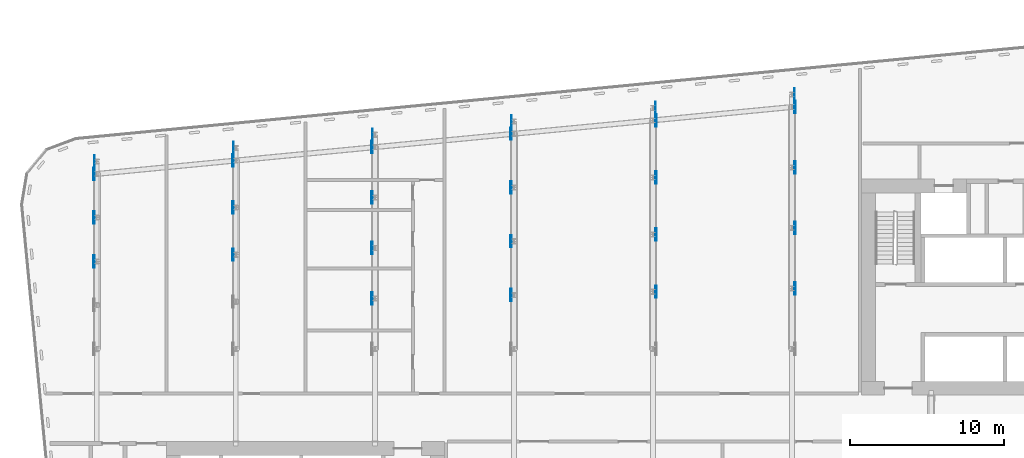
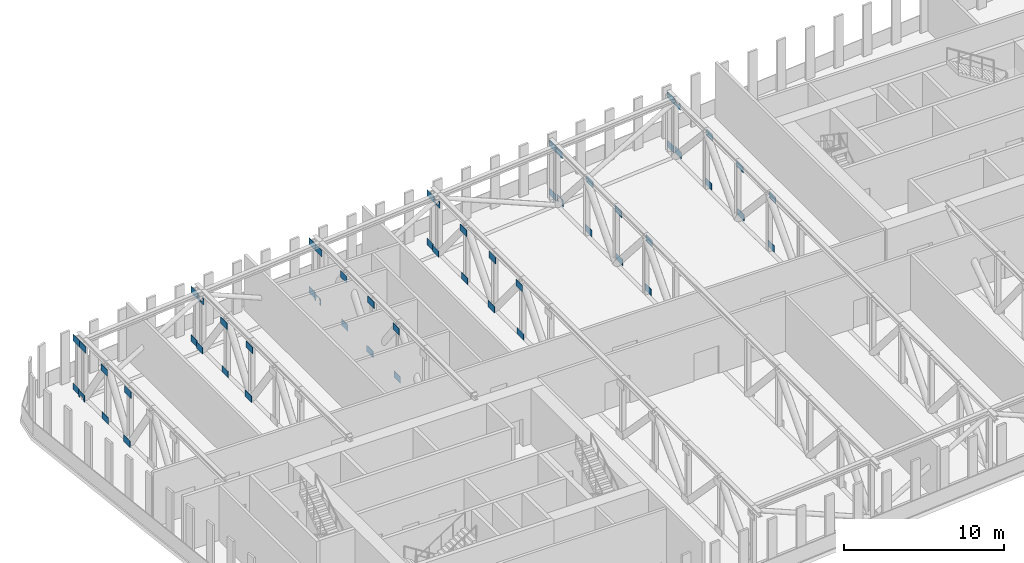
# One storey, part 14 of 22: 56 discrete accessories.
"""IFC4 building model written with IfcOpenShell, lengths in metres."""

from ifc_helpers import new_model, si_unit, direction, frame, origin, place, context, subcontext, project, spatial, polyline, outline, extrude, material, layer, layer_set, type_object, element, save


model = new_model("IFC4")

# Units and contexts
model_context = context("Model", 3, precision=1e-05, world=origin(), true_north=direction((0.0, 1.0)))
body_context = subcontext(model_context, "Body", "Model", "MODEL_VIEW")
ifc_project = project(units=[si_unit("LENGTHUNIT", "METRE"), si_unit("AREAUNIT", "SQUARE_METRE"), si_unit("VOLUMEUNIT", "CUBIC_METRE"), si_unit("PLANEANGLEUNIT", "RADIAN"), si_unit("MASSUNIT", "GRAM", prefix="KILO")], contexts=[model_context])

# Site, building, storey
site_placement = place(None, origin())
site = spatial("IfcSite", under=ifc_project, at=site_placement, CompositionType="ELEMENT")
building_placement = place(site_placement, origin())
building = spatial("IfcBuilding", under=site, at=building_placement, Name="Kajstack Hotel Tower", CompositionType="ELEMENT")
storey_placement = place(building_placement, frame((0.0, 0.0, 150.39990234375)))
storey = spatial("IfcBuildingStorey", under=building, at=storey_placement, Name="L35", CompositionType="ELEMENT", Elevation=150.39990234375)

# Discrete accessories
ifc_material = material(Name="Steel S355J2", Category="steel")
ifc_layer = layer(ifc_material, 0.02001953125)
ifc_layer_set = layer_set([ifc_layer], Name="GUSSET PLATE")
discrete_accessory_type = type_object("IfcDiscreteAccessoryType", Name="GUSSET PLATE", PredefinedType="BRACKET", material=ifc_layer_set)
for number, where, z_axis, x_axis, name in (
    (1, (-36.24853515625, 10.16162109375, 0.0), (1.0, 0.0, 0.0), (0.0, 1.0, 0.0), "Gusset plate L35-316"),
    (2, (-36.169921875, 10.16162109375, 3.7001953125), (1.0, 0.0, 0.0), (0.0, 1.0, 0.0), "Gusset plate L35-317"),
    (3, (-36.169921875, 12.9921875, 0.0), (1.0, 0.0, 0.0), (0.0, 1.0, 0.0), "Gusset plate L35-318"),
    (4, (-36.24853515625, 12.9921875, 3.7001953125), (1.0, 0.0, 0.0), (0.0, 1.0, 0.0), "Gusset plate L35-319"),
):
    element("IfcDiscreteAccessory", number, at=place(storey_placement, frame(where, z_axis=z_axis, x_axis=x_axis)), inside=storey, type_object=discrete_accessory_type, Name=name, PredefinedType="BRACKET", context=body_context, shape_type="SweptSolid", body=[
        extrude(outline(polyline([(-0.39990234375, 0.0), (0.39990234375, 0.0), (0.39990234375, 0.5), (-0.39990234375, 0.5), (-0.39990234375, 0.0)])), origin(), (0.0, 0.0, 1.0), 0.02001953125),
    ])
discrete_accessory_1_placement = place(storey_placement, frame((-36.24853515625, 15.822998046875, 0.0), z_axis=(1.0, 0.0, 0.0), x_axis=(0.0, 1.0, 0.0)))
element("IfcDiscreteAccessory", 5, at=discrete_accessory_1_placement, inside=storey, type_object=discrete_accessory_type, Name="Gusset plate L35-320", PredefinedType="BRACKET", context=body_context, shape_type="SweptSolid", body=[
    extrude(outline(polyline([(-0.39990234375, 0.0), (-0.243896484375, 0.0), (-0.23291015625, 0.0546875), (-0.22705078125, 0.077392578125), (-0.218994140625, 0.099365234375), (-0.208740234375, 0.12060546875), (-0.19677734375, 0.140625), (-0.1826171875, 0.159423828125), (-0.166748046875, 0.1767578125), (-0.149169921875, 0.1923828125), (-0.13037109375, 0.206298828125), (-0.110107421875, 0.21826171875), (-0.0888671875, 0.22802734375), (-0.06689453125, 0.23583984375), (-0.0439453125, 0.241455078125), (-0.020751953125, 0.244873046875), (0.002685546875, 0.245849609375), (0.026123046875, 0.24462890625), (0.04931640625, 0.240966796875), (0.072021484375, 0.235107421875), (0.093994140625, 0.22705078125), (0.115234375, 0.217041015625), (0.13525390625, 0.204833984375), (0.154052734375, 0.190673828125), (0.17138671875, 0.175048828125), (0.18701171875, 0.157470703125), (0.200927734375, 0.138671875), (0.212890625, 0.118408203125), (0.22265625, 0.09716796875), (0.23046875, 0.074951171875), (0.236083984375, 0.05224609375), (0.239501953125, 0.029052734375), (0.240234375, 0.0), (0.39990234375, 0.0), (0.39990234375, 0.5), (-0.39990234375, 0.5), (-0.39990234375, 0.0)])), origin(), (0.0, 0.0, 1.0), 0.02001953125),
])
for number, where, z_axis, x_axis, name in (
    (6, (-36.169921875, 15.822998046875, 3.7001953125), (1.0, 0.0, 0.0), (0.0, 1.0, 0.0), "Gusset plate L35-321"),
    (7, (-36.169921875, 16.623046875, 0.0), (1.0, 0.0, 0.0), (0.0, 1.0, 0.0), "Gusset plate L35-322"),
    (8, (-36.169921875, 16.623046875, 3.7001953125), (1.0, 0.0, 0.0), (0.0, 1.0, 0.0), "Gusset plate L35-323"),
    (9, (-27.24853515625, 10.5947265625, 0.0), (1.0, 0.0, 0.0), (0.0, 1.0, 0.0), "Gusset plate L35-328"),
    (10, (-27.169921875, 10.5947265625, 3.7001953125), (1.0, 0.0, 0.0), (0.0, 1.0, 0.0), "Gusset plate L35-329"),
    (11, (-27.169921875, 13.642333984375, 0.0), (1.0, 0.0, 0.0), (0.0, 1.0, 0.0), "Gusset plate L35-330"),
    (12, (-27.24853515625, 13.642333984375, 3.7001953125), (1.0, 0.0, 0.0), (0.0, 1.0, 0.0), "Gusset plate L35-331"),
    (13, (-27.24853515625, 16.689697265625, 0.0), (1.0, 0.0, 0.0), (0.0, 1.0, 0.0), "Gusset plate L35-332"),
):
    element("IfcDiscreteAccessory", number, at=place(storey_placement, frame(where, z_axis=z_axis, x_axis=x_axis)), inside=storey, type_object=discrete_accessory_type, Name=name, PredefinedType="BRACKET", context=body_context, shape_type="SweptSolid", body=[
        extrude(outline(polyline([(-0.39990234375, 0.0), (0.39990234375, 0.0), (0.39990234375, 0.5), (-0.39990234375, 0.5), (-0.39990234375, 0.0)])), origin(), (0.0, 0.0, 1.0), 0.02001953125),
    ])
discrete_accessory_2_placement = place(storey_placement, frame((-27.169921875, 16.689697265625, 3.7001953125), z_axis=(1.0, 0.0, 0.0), x_axis=(0.0, 1.0, 0.0)))
element("IfcDiscreteAccessory", 14, at=discrete_accessory_2_placement, inside=storey, type_object=discrete_accessory_type, Name="Gusset plate L35-333", PredefinedType="BRACKET", context=body_context, shape_type="SweptSolid", body=[
    extrude(outline(polyline([(0.39990234375, 0.5), (0.247802734375, 0.5), (0.2470703125, 0.47412109375), (0.24365234375, 0.450927734375), (0.238037109375, 0.427978515625), (0.230224609375, 0.406005859375), (0.220458984375, 0.384765625), (0.2080078125, 0.364013671875), (0.1943359375, 0.297607421875), (0.188720703125, 0.27490234375), (0.1806640625, 0.2529296875), (0.17041015625, 0.231689453125), (0.158203125, 0.211669921875), (0.144287109375, 0.19287109375), (0.12841796875, 0.175537109375), (0.11083984375, 0.159912109375), (0.092041015625, 0.14599609375), (0.07177734375, 0.134033203125), (0.050537109375, 0.1240234375), (0.0283203125, 0.116455078125), (0.005615234375, 0.11083984375), (-0.017578125, 0.107421875), (-0.041015625, 0.1064453125), (-0.064453125, 0.107666015625), (-0.087646484375, 0.111328125), (-0.1103515625, 0.1171875), (-0.13232421875, 0.125), (-0.153564453125, 0.13525390625), (-0.173583984375, 0.1474609375), (-0.1923828125, 0.161376953125), (-0.209716796875, 0.17724609375), (-0.225341796875, 0.19482421875), (-0.2392578125, 0.213623046875), (-0.251220703125, 0.23388671875), (-0.260986328125, 0.255126953125), (-0.268798828125, 0.27734375), (-0.2744140625, 0.300048828125), (-0.27783203125, 0.3232421875), (-0.27880859375, 0.3466796875), (-0.277587890625, 0.3701171875), (-0.27392578125, 0.393310546875), (-0.252197265625, 0.5), (-0.39990234375, 0.5), (-0.39990234375, 0.0), (0.39990234375, 0.0), (0.39990234375, 0.5)])), origin(), (0.0, 0.0, 1.0), 0.02001953125),
])
for number, where, z_axis, x_axis, name in (
    (15, (-27.169921875, 17.48974609375, 0.0), (1.0, 0.0, 0.0), (0.0, 1.0, 0.0), "Gusset plate L35-334"),
    (16, (-27.169921875, 17.48974609375, 3.7001953125), (1.0, 0.0, 0.0), (0.0, 1.0, 0.0), "Gusset plate L35-335"),
    (17, (-18.169921875, 7.76416015625, 0.0), (1.0, 0.0, 0.0), (0.0, 1.0, 0.0), "Gusset plate L35-338"),
    (18, (-18.24853515625, 7.76416015625, 3.7001953125), (1.0, 0.0, 0.0), (0.0, 1.0, 0.0), "Gusset plate L35-339"),
    (19, (-18.24853515625, 11.0283203125, 0.0), (1.0, 0.0, 0.0), (0.0, 1.0, 0.0), "Gusset plate L35-340"),
    (20, (-18.169921875, 11.0283203125, 3.7001953125), (1.0, 0.0, 0.0), (0.0, 1.0, 0.0), "Gusset plate L35-341"),
    (21, (-18.169921875, 14.292236328125, 0.0), (1.0, 0.0, 0.0), (0.0, 1.0, 0.0), "Gusset plate L35-342"),
    (22, (-18.24853515625, 14.292236328125, 3.7001953125), (1.0, 0.0, 0.0), (0.0, 1.0, 0.0), "Gusset plate L35-343"),
):
    element("IfcDiscreteAccessory", number, at=place(storey_placement, frame(where, z_axis=z_axis, x_axis=x_axis)), inside=storey, type_object=discrete_accessory_type, Name=name, PredefinedType="BRACKET", context=body_context, shape_type="SweptSolid", body=[
        extrude(outline(polyline([(-0.39990234375, 0.0), (0.39990234375, 0.0), (0.39990234375, 0.5), (-0.39990234375, 0.5), (-0.39990234375, 0.0)])), origin(), (0.0, 0.0, 1.0), 0.02001953125),
    ])
discrete_accessory_3_placement = place(storey_placement, frame((-18.24853515625, 17.556396484375, 0.0), z_axis=(1.0, 0.0, 0.0), x_axis=(0.0, 1.0, 0.0)))
element("IfcDiscreteAccessory", 23, at=discrete_accessory_3_placement, inside=storey, type_object=discrete_accessory_type, Name="Gusset plate L35-344", PredefinedType="BRACKET", context=body_context, shape_type="SweptSolid", body=[
    extrude(outline(polyline([(-0.39990234375, 0.0), (-0.243896484375, 0.0), (-0.281494140625, 0.18359375), (-0.28515625, 0.206787109375), (-0.286376953125, 0.230224609375), (-0.285400390625, 0.253662109375), (-0.281982421875, 0.27685546875), (-0.2763671875, 0.2998046875), (-0.2685546875, 0.32177734375), (-0.2587890625, 0.343017578125), (-0.246826171875, 0.36328125), (-0.23291015625, 0.382080078125), (-0.21728515625, 0.399658203125), (-0.199951171875, 0.41552734375), (-0.18115234375, 0.4296875), (-0.1611328125, 0.441650390625), (-0.139892578125, 0.451904296875), (-0.117919921875, 0.4599609375), (-0.09521484375, 0.4658203125), (-0.072021484375, 0.46923828125), (-0.048583984375, 0.470458984375), (-0.025146484375, 0.469482421875), (-0.001953125, 0.46630859375), (0.020751953125, 0.460693359375), (0.04296875, 0.452880859375), (0.064208984375, 0.44287109375), (0.08447265625, 0.430908203125), (0.103271484375, 0.4169921875), (0.120849609375, 0.4013671875), (0.13671875, 0.384033203125), (0.150634765625, 0.365478515625), (0.162841796875, 0.34521484375), (0.173095703125, 0.32421875), (0.18115234375, 0.302001953125), (0.186767578125, 0.279296875), (0.22607421875, 0.08740234375), (0.236083984375, 0.05224609375), (0.239501953125, 0.029052734375), (0.240234375, 0.0), (0.39990234375, 0.0), (0.39990234375, 0.5), (-0.39990234375, 0.5), (-0.39990234375, 0.0)])), origin(), (0.0, 0.0, 1.0), 0.02001953125),
])
for number, where, z_axis, x_axis, name in (
    (24, (-18.169921875, 17.556396484375, 3.7001953125), (1.0, 0.0, 0.0), (0.0, 1.0, 0.0), "Gusset plate L35-345"),
    (25, (-18.169921875, 18.356201171875, 0.0), (1.0, 0.0, 0.0), (0.0, 1.0, 0.0), "Gusset plate L35-346"),
    (26, (-18.169921875, 18.356201171875, 3.7001953125), (1.0, 0.0, 0.0), (0.0, 1.0, 0.0), "Gusset plate L35-347"),
    (27, (-9.169921875, 7.980712890625, 0.0), (1.0, 0.0, 0.0), (0.0, 1.0, 0.0), "Gusset plate L35-360"),
    (28, (-9.24853515625, 7.980712890625, 3.7001953125), (1.0, 0.0, 0.0), (0.0, 1.0, 0.0), "Gusset plate L35-361"),
    (29, (-9.24853515625, 11.46142578125, 0.0), (1.0, 0.0, 0.0), (0.0, 1.0, 0.0), "Gusset plate L35-362"),
    (30, (-9.169921875, 11.46142578125, 3.7001953125), (1.0, 0.0, 0.0), (0.0, 1.0, 0.0), "Gusset plate L35-363"),
    (31, (-9.169921875, 14.942138671875, 0.0), (1.0, 0.0, 0.0), (0.0, 1.0, 0.0), "Gusset plate L35-364"),
    (32, (-9.24853515625, 14.942138671875, 3.7001953125), (1.0, 0.0, 0.0), (0.0, 1.0, 0.0), "Gusset plate L35-365"),
    (33, (-9.24853515625, 18.4228515625, 0.0), (1.0, 0.0, 0.0), (0.0, 1.0, 0.0), "Gusset plate L35-366"),
):
    element("IfcDiscreteAccessory", number, at=place(storey_placement, frame(where, z_axis=z_axis, x_axis=x_axis)), inside=storey, type_object=discrete_accessory_type, Name=name, PredefinedType="BRACKET", context=body_context, shape_type="SweptSolid", body=[
        extrude(outline(polyline([(-0.39990234375, 0.0), (0.39990234375, 0.0), (0.39990234375, 0.5), (-0.39990234375, 0.5), (-0.39990234375, 0.0)])), origin(), (0.0, 0.0, 1.0), 0.02001953125),
    ])
discrete_accessory_4_placement = place(storey_placement, frame((-9.169921875, 18.4228515625, 3.7001953125), z_axis=(1.0, 0.0, 0.0), x_axis=(0.0, 1.0, 0.0)))
element("IfcDiscreteAccessory", 34, at=discrete_accessory_4_placement, inside=storey, type_object=discrete_accessory_type, Name="Gusset plate L35-367", PredefinedType="BRACKET", context=body_context, shape_type="SweptSolid", body=[
    extrude(outline(polyline([(0.39990234375, 0.5), (0.247802734375, 0.5), (0.2470703125, 0.47412109375), (0.24365234375, 0.450927734375), (0.238037109375, 0.427978515625), (0.230224609375, 0.406005859375), (0.220458984375, 0.384765625), (0.2080078125, 0.364013671875), (0.1943359375, 0.297607421875), (0.188720703125, 0.27490234375), (0.1806640625, 0.2529296875), (0.17041015625, 0.231689453125), (0.158203125, 0.211669921875), (0.144287109375, 0.19287109375), (0.12841796875, 0.175537109375), (0.11083984375, 0.159912109375), (0.092041015625, 0.14599609375), (0.07177734375, 0.134033203125), (0.050537109375, 0.1240234375), (0.0283203125, 0.116455078125), (0.005615234375, 0.11083984375), (-0.017578125, 0.107421875), (-0.041015625, 0.1064453125), (-0.064453125, 0.107666015625), (-0.087646484375, 0.111328125), (-0.1103515625, 0.1171875), (-0.13232421875, 0.125), (-0.153564453125, 0.13525390625), (-0.173583984375, 0.1474609375), (-0.1923828125, 0.161376953125), (-0.209716796875, 0.17724609375), (-0.225341796875, 0.19482421875), (-0.2392578125, 0.213623046875), (-0.251220703125, 0.23388671875), (-0.260986328125, 0.255126953125), (-0.268798828125, 0.27734375), (-0.2744140625, 0.300048828125), (-0.27783203125, 0.3232421875), (-0.27880859375, 0.3466796875), (-0.277587890625, 0.3701171875), (-0.27392578125, 0.393310546875), (-0.252197265625, 0.5), (-0.39990234375, 0.5), (-0.39990234375, 0.0), (0.39990234375, 0.0), (0.39990234375, 0.5)])), origin(), (0.0, 0.0, 1.0), 0.02001953125),
])
for number, where, z_axis, x_axis, name in (
    (35, (-9.169921875, 19.222900390625, 0.0), (1.0, 0.0, 0.0), (0.0, 1.0, 0.0), "Gusset plate L35-368"),
    (36, (-9.169921875, 19.222900390625, 3.7001953125), (1.0, 0.0, 0.0), (0.0, 1.0, 0.0), "Gusset plate L35-369"),
    (37, (0.14990234375, 8.197509765625, 0.0), (1.0, 0.0, 0.0), (0.0, 1.0, 0.0), "Gusset plate L35-382"),
    (38, (0.228515625, 8.197509765625, 3.7001953125), (1.0, 0.0, 0.0), (0.0, 1.0, 0.0), "Gusset plate L35-383"),
    (39, (0.228515625, 11.894775390625, 0.0), (1.0, 0.0, 0.0), (0.0, 1.0, 0.0), "Gusset plate L35-384"),
    (40, (0.14990234375, 11.894775390625, 3.7001953125), (1.0, 0.0, 0.0), (0.0, 1.0, 0.0), "Gusset plate L35-385"),
    (41, (0.14990234375, 15.592041015625, 0.0), (1.0, 0.0, 0.0), (0.0, 1.0, 0.0), "Gusset plate L35-386"),
    (42, (0.228515625, 15.592041015625, 3.7001953125), (1.0, 0.0, 0.0), (0.0, 1.0, 0.0), "Gusset plate L35-387"),
):
    element("IfcDiscreteAccessory", number, at=place(storey_placement, frame(where, z_axis=z_axis, x_axis=x_axis)), inside=storey, type_object=discrete_accessory_type, Name=name, PredefinedType="BRACKET", context=body_context, shape_type="SweptSolid", body=[
        extrude(outline(polyline([(-0.39990234375, 0.0), (0.39990234375, 0.0), (0.39990234375, 0.5), (-0.39990234375, 0.5), (-0.39990234375, 0.0)])), origin(), (0.0, 0.0, 1.0), 0.02001953125),
    ])
discrete_accessory_5_placement = place(storey_placement, frame((0.228515625, 19.28955078125, 0.0), z_axis=(1.0, 0.0, 0.0), x_axis=(0.0, 1.0, 0.0)))
element("IfcDiscreteAccessory", 43, at=discrete_accessory_5_placement, inside=storey, type_object=discrete_accessory_type, Name="Gusset plate L35-388", PredefinedType="BRACKET", context=body_context, shape_type="SweptSolid", body=[
    extrude(outline(polyline([(-0.39990234375, 0.0), (-0.240234375, 0.0), (-0.239501953125, 0.029052734375), (-0.236083984375, 0.05224609375), (-0.22607421875, 0.08740234375), (-0.186767578125, 0.279296875), (-0.18115234375, 0.302001953125), (-0.173095703125, 0.32421875), (-0.162841796875, 0.34521484375), (-0.150634765625, 0.365478515625), (-0.13671875, 0.384033203125), (-0.120849609375, 0.4013671875), (-0.103271484375, 0.4169921875), (-0.08447265625, 0.430908203125), (-0.064208984375, 0.44287109375), (-0.04296875, 0.452880859375), (-0.020751953125, 0.460693359375), (0.001953125, 0.46630859375), (0.025146484375, 0.469482421875), (0.048583984375, 0.470458984375), (0.072021484375, 0.46923828125), (0.09521484375, 0.4658203125), (0.117919921875, 0.4599609375), (0.139892578125, 0.451904296875), (0.1611328125, 0.441650390625), (0.18115234375, 0.4296875), (0.199951171875, 0.41552734375), (0.21728515625, 0.399658203125), (0.23291015625, 0.382080078125), (0.246826171875, 0.36328125), (0.2587890625, 0.343017578125), (0.2685546875, 0.32177734375), (0.2763671875, 0.2998046875), (0.281982421875, 0.27685546875), (0.285400390625, 0.253662109375), (0.286376953125, 0.230224609375), (0.28515625, 0.206787109375), (0.281494140625, 0.18359375), (0.243896484375, 0.0), (0.39990234375, 0.0), (0.39990234375, 0.5), (-0.39990234375, 0.5), (-0.39990234375, 0.0)])), origin(), (0.0, 0.0, 1.0), 0.02001953125),
])
for number, where, z_axis, x_axis, name in (
    (44, (0.14990234375, 19.28955078125, 3.7001953125), (1.0, 0.0, 0.0), (0.0, 1.0, 0.0), "Gusset plate L35-389"),
    (45, (0.14990234375, 20.089599609375, 0.0), (1.0, 0.0, 0.0), (0.0, 1.0, 0.0), "Gusset plate L35-390"),
    (46, (0.14990234375, 20.089599609375, 3.7001953125), (1.0, 0.0, 0.0), (0.0, 1.0, 0.0), "Gusset plate L35-391"),
    (47, (9.14990234375, 8.4140625, 0.0), (1.0, 0.0, 0.0), (0.0, 1.0, 0.0), "Gusset plate L35-404"),
    (48, (9.228515625, 8.4140625, 3.7001953125), (1.0, 0.0, 0.0), (0.0, 1.0, 0.0), "Gusset plate L35-405"),
    (49, (9.228515625, 12.327880859375, 0.0), (1.0, 0.0, 0.0), (0.0, 1.0, 0.0), "Gusset plate L35-406"),
    (50, (9.14990234375, 12.327880859375, 3.7001953125), (1.0, 0.0, 0.0), (0.0, 1.0, 0.0), "Gusset plate L35-407"),
    (51, (9.14990234375, 16.2421875, 0.0), (1.0, 0.0, 0.0), (0.0, 1.0, 0.0), "Gusset plate L35-408"),
    (52, (9.228515625, 16.2421875, 3.7001953125), (1.0, 0.0, 0.0), (0.0, 1.0, 0.0), "Gusset plate L35-409"),
    (53, (9.228515625, 20.156005859375, 0.0), (1.0, 0.0, 0.0), (0.0, 1.0, 0.0), "Gusset plate L35-410"),
):
    element("IfcDiscreteAccessory", number, at=place(storey_placement, frame(where, z_axis=z_axis, x_axis=x_axis)), inside=storey, type_object=discrete_accessory_type, Name=name, PredefinedType="BRACKET", context=body_context, shape_type="SweptSolid", body=[
        extrude(outline(polyline([(-0.39990234375, 0.0), (0.39990234375, 0.0), (0.39990234375, 0.5), (-0.39990234375, 0.5), (-0.39990234375, 0.0)])), origin(), (0.0, 0.0, 1.0), 0.02001953125),
    ])
discrete_accessory_6_placement = place(storey_placement, frame((9.14990234375, 20.156005859375, 3.7001953125), z_axis=(1.0, 0.0, 0.0), x_axis=(0.0, 1.0, 0.0)))
element("IfcDiscreteAccessory", 54, at=discrete_accessory_6_placement, inside=storey, type_object=discrete_accessory_type, Name="Gusset plate L35-411", PredefinedType="BRACKET", context=body_context, shape_type="SweptSolid", body=[
    extrude(outline(polyline([(0.39990234375, 0.5), (0.23583984375, 0.5), (0.225341796875, 0.4482421875), (0.219482421875, 0.425537109375), (0.21142578125, 0.403564453125), (0.201171875, 0.38232421875), (0.189208984375, 0.3623046875), (0.175048828125, 0.343505859375), (0.1591796875, 0.326416015625), (0.141845703125, 0.310546875), (0.122802734375, 0.296875), (0.1025390625, 0.284912109375), (0.081298828125, 0.27490234375), (0.059326171875, 0.26708984375), (0.036376953125, 0.261474609375), (0.01318359375, 0.25830078125), (-0.01025390625, 0.257080078125), (-0.03369140625, 0.258544921875), (-0.056884765625, 0.261962890625), (-0.07958984375, 0.267822265625), (-0.1015625, 0.27587890625), (-0.122802734375, 0.285888671875), (-0.142822265625, 0.298095703125), (-0.16162109375, 0.312255859375), (-0.178955078125, 0.328125), (-0.194580078125, 0.345458984375), (-0.20849609375, 0.364501953125), (-0.220458984375, 0.384765625), (-0.230224609375, 0.406005859375), (-0.238037109375, 0.427978515625), (-0.24365234375, 0.450927734375), (-0.2470703125, 0.47412109375), (-0.247802734375, 0.5), (-0.39990234375, 0.5), (-0.39990234375, 0.0), (0.39990234375, 0.0), (0.39990234375, 0.5)])), origin(), (0.0, 0.0, 1.0), 0.02001953125),
])
for number, where, z_axis, x_axis, name in (
    (55, (9.14990234375, 20.9560546875, 0.0), (1.0, 0.0, 0.0), (0.0, 1.0, 0.0), "Gusset plate L35-412"),
    (56, (9.14990234375, 20.9560546875, 3.7001953125), (1.0, 0.0, 0.0), (0.0, 1.0, 0.0), "Gusset plate L35-413"),
):
    element("IfcDiscreteAccessory", number, at=place(storey_placement, frame(where, z_axis=z_axis, x_axis=x_axis)), inside=storey, type_object=discrete_accessory_type, Name=name, PredefinedType="BRACKET", context=body_context, shape_type="SweptSolid", body=[
        extrude(outline(polyline([(-0.39990234375, 0.0), (0.39990234375, 0.0), (0.39990234375, 0.5), (-0.39990234375, 0.5), (-0.39990234375, 0.0)])), origin(), (0.0, 0.0, 1.0), 0.02001953125),
    ])

save(model, "model.ifc")
